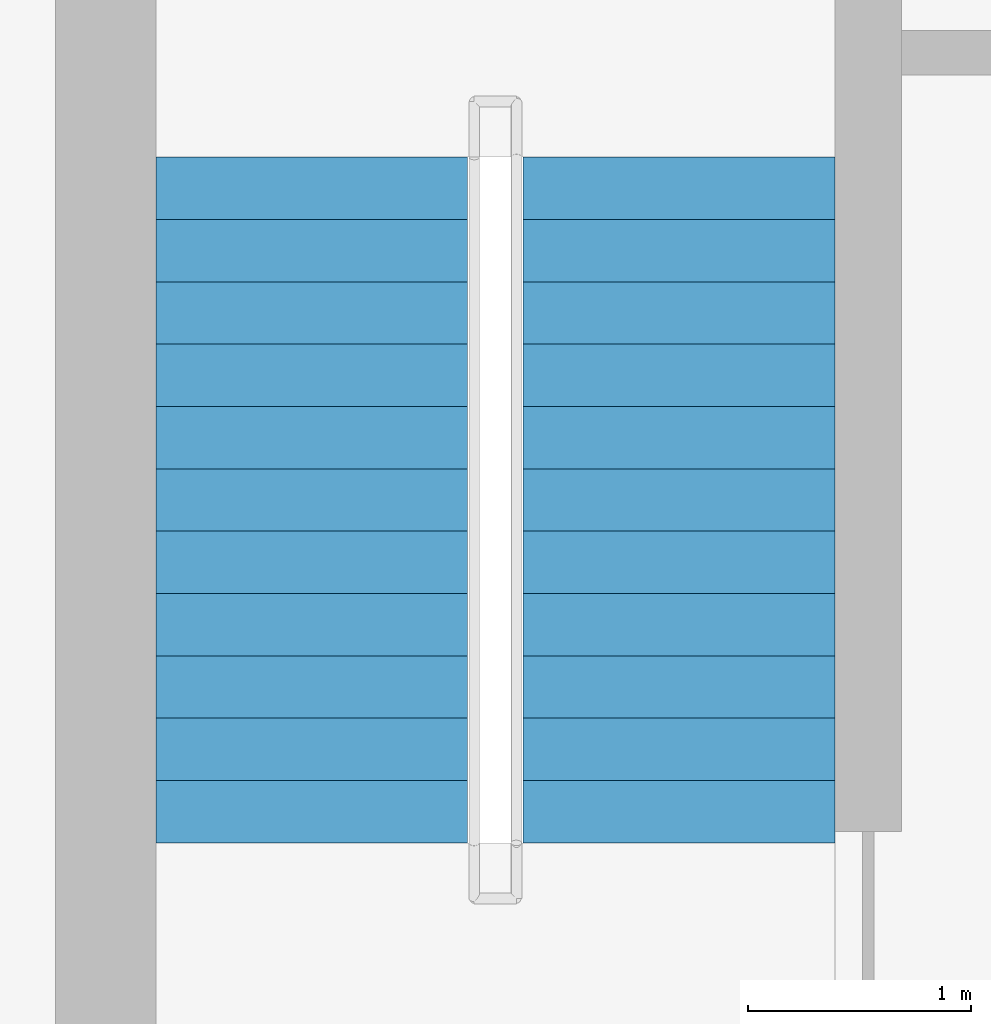
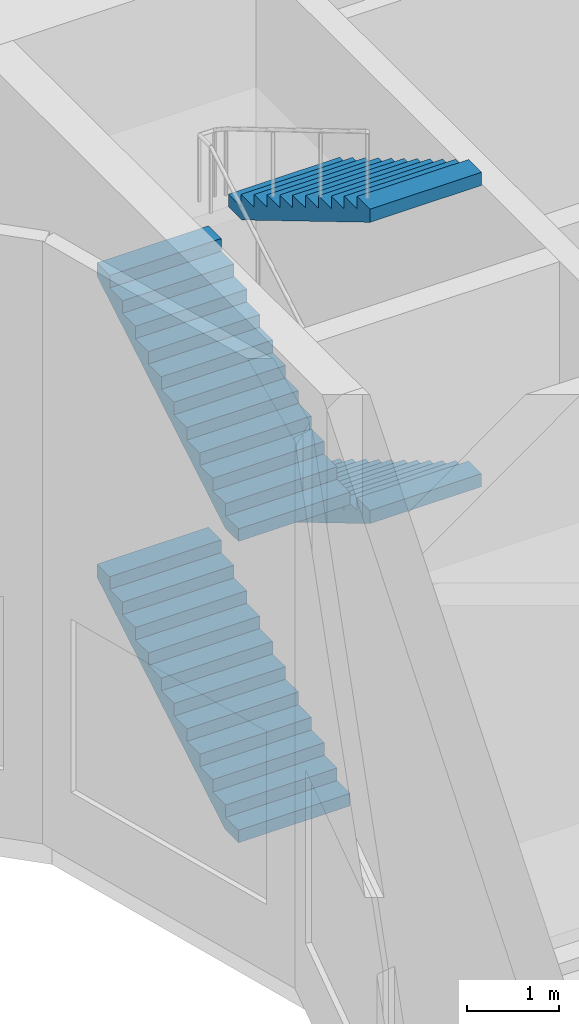
# One storey, part 15 of 18: 4 stair flights, 1 element without a shape of its own.
"""IFC4 building model written with IfcOpenShell, lengths in metres."""

from ifc_helpers import new_model, si_unit, direction, frame, origin, place, context, subcontext, project, spatial, polyline, outline, extrude, material, layer, layer_set, type_object, element, aggregate, save


model = new_model("IFC4")

# Units and contexts
model_context = context("Model", 3, precision=1e-05, world=origin(), true_north=direction((0.0, 1.0)))
body_context = subcontext(model_context, "Body", "Model", "MODEL_VIEW")
ifc_project = project(units=[si_unit("LENGTHUNIT", "METRE"), si_unit("AREAUNIT", "SQUARE_METRE"), si_unit("VOLUMEUNIT", "CUBIC_METRE"), si_unit("PLANEANGLEUNIT", "RADIAN"), si_unit("MASSUNIT", "GRAM", prefix="KILO")], contexts=[model_context])

# Site, building, storey
site_placement = place(None, origin())
site = spatial("IfcSite", under=ifc_project, at=site_placement, CompositionType="ELEMENT")
building_placement = place(site_placement, origin())
building = spatial("IfcBuilding", under=site, at=building_placement, Name="Torre Brocal", CompositionType="ELEMENT")
storey_placement = place(building_placement, frame((0.0, 0.0, 74.39990234375)))
storey = spatial("IfcBuildingStorey", under=building, at=storey_placement, Name="L17", CompositionType="ELEMENT", Elevation=74.39990234375)

# Stair, stair flights
ifc_material_1 = material(Name="Concrete C50", Category="concrete")
stair_type = type_object("IfcStairType", Name="EXIT STAIR", PredefinedType="HALF_TURN_STAIR", material=ifc_material_1)
stair_placement = place(storey_placement, origin())
stair = element("IfcStair", 1, at=stair_placement, inside=storey, type_object=stair_type, Name="EXIT STAIR ST1", PredefinedType="HALF_TURN_STAIR")
ifc_material_2 = material(Name="Concrete C50", Category="concrete")
ifc_layer = layer(ifc_material_2, 0.14990234375)
ifc_layer_set = layer_set([ifc_layer], Name="Concrete C50")
stair_flight_type = type_object("IfcStairFlightType", Name="STAIR FLIGHT", PredefinedType="STRAIGHT", material=ifc_layer_set)
stair_flight_1_placement = place(storey_placement, frame((89.050048828125, 77.699951171875, 0.0), z_axis=(0.0, 0.0, 1.0), x_axis=(0.0, 1.0, 0.0)))
stair_flight_1 = element("IfcStairFlight", 2, at=stair_flight_1_placement, type_object=stair_flight_type, Name="ST1 flight 1", NumberOfRisers=12, NumberOfTreads=11, PredefinedType="STRAIGHT", RiserHeight=0.166666667, TreadLength=0.28, context=body_context, shape_type="SweptSolid", body=[
    extrude(outline(polyline([(0.0, 0.0), (0.0, 0.166748046875), (0.280029296875, 0.166748046875), (0.280029296875, 0.333251953125), (0.56005859375, 0.333251953125), (0.56005859375, 0.5), (0.840087890625, 0.5), (0.840087890625, 0.666748046875), (1.1201171875, 0.666748046875), (1.1201171875, 0.833251953125), (1.39990234375, 0.833251953125), (1.39990234375, 1.0), (1.679931640625, 1.0), (1.679931640625, 1.166748046875), (1.9599609375, 1.166748046875), (1.9599609375, 1.333251953125), (2.239990234375, 1.333251953125), (2.239990234375, 1.5), (2.52001953125, 1.5), (2.52001953125, 1.666748046875), (2.800048828125, 1.666748046875), (2.800048828125, 1.833251953125), (3.080078125, 1.833251953125), (3.080078125, 2.0), (3.080078125, 1.658935546875), (0.29296875, 0.0), (0.0, 0.0)])), frame((0.0, 0.699951171875, 0.0), z_axis=(0.0, -1.0, 0.0), x_axis=(1.0, 0.0, 0.0)), (0.0, 0.0, 1.0), 1.39990234375),
])
stair_flight_2_placement = place(storey_placement, frame((90.699951171875, 80.780029296875, 2.0), z_axis=(0.0, 0.0, 1.0), x_axis=(0.0, -1.0, 0.0)))
stair_flight_2 = element("IfcStairFlight", 3, at=stair_flight_2_placement, type_object=stair_flight_type, Name="ST1 flight 2", NumberOfRisers=12, NumberOfTreads=11, PredefinedType="STRAIGHT", RiserHeight=0.166666667, TreadLength=0.28, context=body_context, shape_type="SweptSolid", body=[
    extrude(outline(polyline([(0.0, 0.0), (0.0, 0.166748046875), (0.280029296875, 0.166748046875), (0.280029296875, 0.333251953125), (0.56005859375, 0.333251953125), (0.56005859375, 0.5), (0.840087890625, 0.5), (0.840087890625, 0.666748046875), (1.1201171875, 0.666748046875), (1.1201171875, 0.833251953125), (1.39990234375, 0.833251953125), (1.39990234375, 1.0), (1.679931640625, 1.0), (1.679931640625, 1.166748046875), (1.9599609375, 1.166748046875), (1.9599609375, 1.333251953125), (2.239990234375, 1.333251953125), (2.239990234375, 1.5), (2.52001953125, 1.5), (2.52001953125, 1.666748046875), (2.800048828125, 1.666748046875), (2.800048828125, 1.833251953125), (3.080078125, 1.833251953125), (3.080078125, 2.0), (3.080078125, 1.658935546875), (0.29296875, 0.0), (0.0, 0.0)])), frame((0.0, 0.699951171875, 0.0), z_axis=(0.0, -1.0, 0.0), x_axis=(1.0, 0.0, 0.0)), (0.0, 0.0, 1.0), 1.39990234375),
])
stair_flight_3_placement = place(storey_placement, frame((89.050048828125, 77.699951171875, 4.0), z_axis=(0.0, 0.0, 1.0), x_axis=(0.0, 1.0, 0.0)))
stair_flight_3 = element("IfcStairFlight", 4, at=stair_flight_3_placement, type_object=stair_flight_type, Name="ST1 flight 3", NumberOfRisers=12, NumberOfTreads=11, PredefinedType="STRAIGHT", RiserHeight=0.166666667, TreadLength=0.28, context=body_context, shape_type="SweptSolid", body=[
    extrude(outline(polyline([(0.0, 0.0), (0.0, 0.166748046875), (0.280029296875, 0.166748046875), (0.280029296875, 0.333251953125), (0.56005859375, 0.333251953125), (0.56005859375, 0.5), (0.840087890625, 0.5), (0.840087890625, 0.666748046875), (1.1201171875, 0.666748046875), (1.1201171875, 0.833251953125), (1.39990234375, 0.833251953125), (1.39990234375, 1.0), (1.679931640625, 1.0), (1.679931640625, 1.166748046875), (1.9599609375, 1.166748046875), (1.9599609375, 1.333251953125), (2.239990234375, 1.333251953125), (2.239990234375, 1.5), (2.52001953125, 1.5), (2.52001953125, 1.666748046875), (2.800048828125, 1.666748046875), (2.800048828125, 1.833251953125), (3.080078125, 1.833251953125), (3.080078125, 2.0), (3.080078125, 1.658935546875), (0.29296875, 0.0), (0.0, 0.0)])), frame((0.0, 0.699951171875, 0.0), z_axis=(0.0, -1.0, 0.0), x_axis=(1.0, 0.0, 0.0)), (0.0, 0.0, 1.0), 1.39990234375),
])
stair_flight_4_placement = place(storey_placement, frame((90.699951171875, 80.780029296875, 6.0), z_axis=(0.0, 0.0, 1.0), x_axis=(0.0, -1.0, 0.0)))
stair_flight_4 = element("IfcStairFlight", 5, at=stair_flight_4_placement, type_object=stair_flight_type, Name="ST1 flight 4", NumberOfRisers=12, NumberOfTreads=11, PredefinedType="STRAIGHT", RiserHeight=0.166666667, TreadLength=0.28, context=body_context, shape_type="SweptSolid", body=[
    extrude(outline(polyline([(0.0, 0.0), (0.0, 0.166748046875), (0.280029296875, 0.166748046875), (0.280029296875, 0.333251953125), (0.56005859375, 0.333251953125), (0.56005859375, 0.5), (0.840087890625, 0.5), (0.840087890625, 0.666748046875), (1.1201171875, 0.666748046875), (1.1201171875, 0.833251953125), (1.39990234375, 0.833251953125), (1.39990234375, 1.0), (1.679931640625, 1.0), (1.679931640625, 1.166748046875), (1.9599609375, 1.166748046875), (1.9599609375, 1.333251953125), (2.239990234375, 1.333251953125), (2.239990234375, 1.5), (2.52001953125, 1.5), (2.52001953125, 1.666748046875), (2.800048828125, 1.666748046875), (2.800048828125, 1.833251953125), (3.080078125, 1.833251953125), (3.080078125, 2.0), (3.080078125, 1.658935546875), (0.29296875, 0.0), (0.0, 0.0)])), frame((0.0, 0.699951171875, 0.0), z_axis=(0.0, -1.0, 0.0), x_axis=(1.0, 0.0, 0.0)), (0.0, 0.0, 1.0), 1.39990234375),
])
aggregate(stair, [stair_flight_1, stair_flight_2, stair_flight_3, stair_flight_4])

save(model, "model.ifc")
